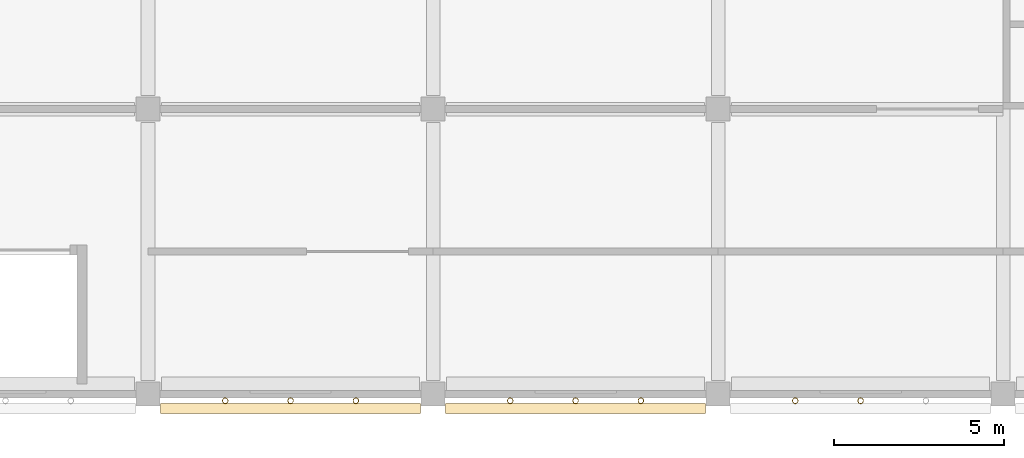
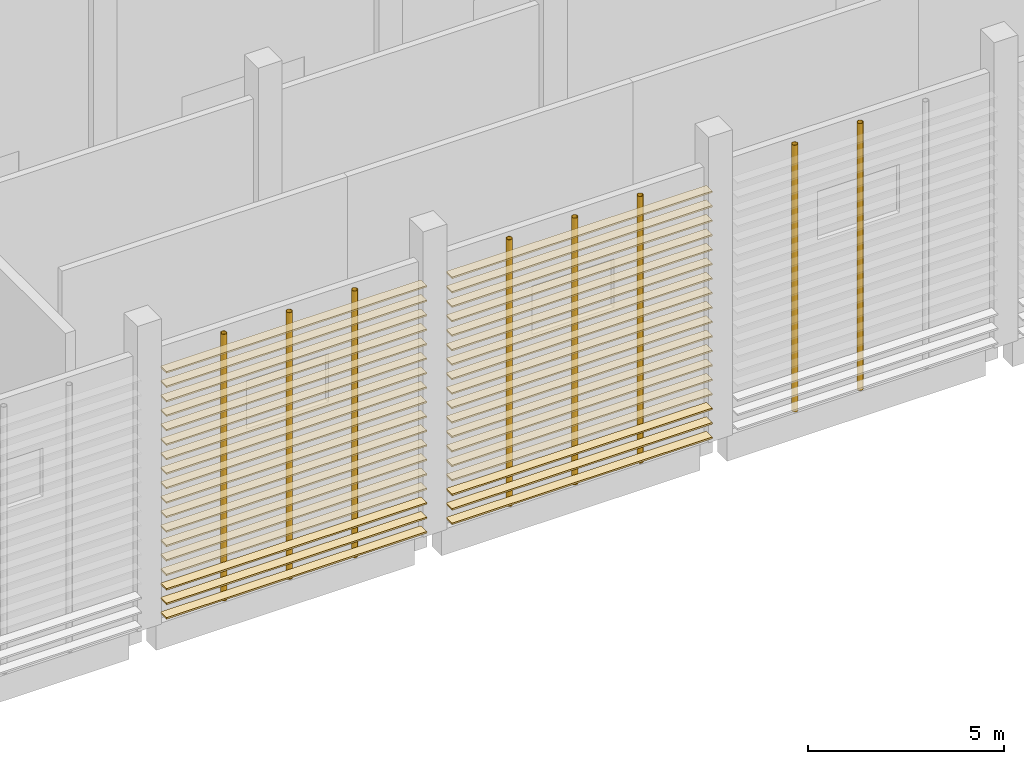
# One storey, part 87 of 114: 36 coverings, 8 shading devices.
"""IFC4 building model written with IfcOpenShell, lengths in metres."""

from ifc_helpers import new_model, si_unit, direction, frame, origin, origin_2d, place, context, subcontext, project, spatial, rectangle, hollow_circle, extrude, material, material_profile, profile_set, type_object, element, save


model = new_model("IFC4")

# Units and contexts
model_context = context("Model", 3, precision=1e-05, world=origin(), true_north=direction((0.0, 1.0)))
body_context = subcontext(model_context, "Body", "Model", "MODEL_VIEW")
ifc_project = project(units=[si_unit("LENGTHUNIT", "METRE"), si_unit("AREAUNIT", "SQUARE_METRE"), si_unit("VOLUMEUNIT", "CUBIC_METRE"), si_unit("PLANEANGLEUNIT", "RADIAN"), si_unit("MASSUNIT", "GRAM", prefix="KILO")], contexts=[model_context])

# Site, building, storey
site_placement = place(None, origin())
site = spatial("IfcSite", under=ifc_project, at=site_placement, CompositionType="ELEMENT")
building_placement = place(site_placement, origin())
building = spatial("IfcBuilding", under=site, at=building_placement, Name="Almond Square Museum", CompositionType="ELEMENT")
storey_placement = place(building_placement, frame((0.0, 0.0, 10.5)))
storey = spatial("IfcBuildingStorey", under=building, at=storey_placement, Name="L02", CompositionType="ELEMENT", Elevation=10.5)

# Shading devices
ifc_material_1 = material(Name="Structural steel S355", Category="steel")
ifc_material_profile_1 = material_profile(ifc_material_1, hollow_circle(Radius=0.084228515625, WallThickness=0.008056640625, at=origin_2d()))
ifc_profile_set_1 = profile_set([ifc_material_profile_1], Name="Structural steel S355")
shading_device_type = type_object("IfcShadingDeviceType", Name="Louvre post CHS 168.3 x 8", PredefinedType="USERDEFINED", material=ifc_profile_set_1)
for number, where, z_axis, x_axis, name in (
    (1, (100.675048828125, -0.194091796875, 0.0), (0.0, 0.0, 1.0), (1.0, 0.0, 0.0), "Louvre screen post"),
    (2, (102.60009765625, -0.194091796875, 0.0), (0.0, 0.0, 1.0), (1.0, 0.0, 0.0), "Louvre screen post"),
    (3, (104.52490234375, -0.194091796875, 0.0), (0.0, 0.0, 1.0), (1.0, 0.0, 0.0), "Louvre screen post"),
    (4, (109.074951171875, -0.194091796875, 0.0), (0.0, 0.0, 1.0), (1.0, 0.0, 0.0), "Louvre screen post"),
    (5, (111.0, -0.194091796875, 0.0), (0.0, 0.0, 1.0), (1.0, 0.0, 0.0), "Louvre screen post"),
    (6, (112.925048828125, -0.194091796875, 0.0), (0.0, 0.0, 1.0), (1.0, 0.0, 0.0), "Louvre screen post"),
    (7, (117.47509765625, -0.194091796875, 0.0), (0.0, 0.0, 1.0), (1.0, 0.0, 0.0), "Louvre screen post"),
    (8, (119.39990234375, -0.194091796875, 0.0), (0.0, 0.0, 1.0), (1.0, 0.0, 0.0), "Louvre screen post"),
):
    element("IfcShadingDevice", number, at=place(storey_placement, frame(where, z_axis=z_axis, x_axis=x_axis)), inside=storey, type_object=shading_device_type, Name=name, ObjectType="POST", PredefinedType="USERDEFINED", context=body_context, shape_type="SweptSolid", body=[
        extrude(hollow_circle(Radius=0.084228515625, WallThickness=0.008056640625, at=origin_2d()), origin(), (0.0, 0.0, 1.0), 8.300048828125),
    ])

# Coverings
ifc_material_2 = material(Name="Cedar timber louvre board", Category="wood")
ifc_material_profile_2 = material_profile(ifc_material_2, rectangle(XDim=0.300048828125, YDim=0.050048828125, at=origin_2d()))
ifc_profile_set_2 = profile_set([ifc_material_profile_2], Name="Cedar timber louvre board")
covering_type = type_object("IfcCoveringType", Name="Louvre screen board 300 x 50", PredefinedType="CLADDING", material=ifc_profile_set_2)
for number, where, z_axis, x_axis, name in (
    (9, (98.77001953125, -0.42431640625, 0.300048828125), (1.0, 0.0, 0.0), (0.0, 1.0, 0.0), "Louvre screen board"),
    (10, (98.77001953125, -0.42431640625, 0.75), (1.0, 0.0, 0.0), (0.0, 1.0, 0.0), "Louvre screen board"),
    (11, (98.77001953125, -0.42431640625, 1.199951171875), (1.0, 0.0, 0.0), (0.0, 1.0, 0.0), "Louvre screen board"),
    (12, (98.77001953125, -0.42431640625, 1.64990234375), (1.0, 0.0, 0.0), (0.0, 1.0, 0.0), "Louvre screen board"),
    (13, (98.77001953125, -0.42431640625, 2.10009765625), (1.0, 0.0, 0.0), (0.0, 1.0, 0.0), "Louvre screen board"),
    (14, (98.77001953125, -0.42431640625, 2.550048828125), (1.0, 0.0, 0.0), (0.0, 1.0, 0.0), "Louvre screen board"),
    (15, (98.77001953125, -0.42431640625, 3.0), (1.0, 0.0, 0.0), (0.0, 1.0, 0.0), "Louvre screen board"),
    (16, (98.77001953125, -0.42431640625, 3.449951171875), (1.0, 0.0, 0.0), (0.0, 1.0, 0.0), "Louvre screen board"),
    (17, (98.77001953125, -0.42431640625, 3.89990234375), (1.0, 0.0, 0.0), (0.0, 1.0, 0.0), "Louvre screen board"),
    (18, (98.77001953125, -0.42431640625, 4.35009765625), (1.0, 0.0, 0.0), (0.0, 1.0, 0.0), "Louvre screen board"),
    (19, (98.77001953125, -0.42431640625, 4.800048828125), (1.0, 0.0, 0.0), (0.0, 1.0, 0.0), "Louvre screen board"),
    (20, (98.77001953125, -0.42431640625, 5.25), (1.0, 0.0, 0.0), (0.0, 1.0, 0.0), "Louvre screen board"),
    (21, (98.77001953125, -0.42431640625, 5.699951171875), (1.0, 0.0, 0.0), (0.0, 1.0, 0.0), "Louvre screen board"),
    (22, (98.77001953125, -0.42431640625, 6.14990234375), (1.0, 0.0, 0.0), (0.0, 1.0, 0.0), "Louvre screen board"),
    (23, (98.77001953125, -0.42431640625, 6.60009765625), (1.0, 0.0, 0.0), (0.0, 1.0, 0.0), "Louvre screen board"),
    (24, (98.77001953125, -0.42431640625, 7.050048828125), (1.0, 0.0, 0.0), (0.0, 1.0, 0.0), "Louvre screen board"),
    (25, (98.77001953125, -0.42431640625, 7.5), (1.0, 0.0, 0.0), (0.0, 1.0, 0.0), "Louvre screen board"),
    (26, (98.77001953125, -0.42431640625, 7.949951171875), (1.0, 0.0, 0.0), (0.0, 1.0, 0.0), "Louvre screen board"),
):
    element("IfcCovering", number, at=place(storey_placement, frame(where, z_axis=z_axis, x_axis=x_axis)), inside=storey, type_object=covering_type, Name=name, PredefinedType="CLADDING", context=body_context, shape_type="SweptSolid", body=[
        extrude(rectangle(XDim=0.300048828125, YDim=0.050048828125, at=origin_2d()), origin(), (0.0, 0.0, 1.0), 7.659912109375),
    ])
for number, where, z_axis, x_axis, name in (
    (27, (107.169921875, -0.42431640625, 0.300048828125), (1.0, 0.0, 0.0), (0.0, 1.0, 0.0), "Louvre screen board"),
    (28, (107.169921875, -0.42431640625, 0.75), (1.0, 0.0, 0.0), (0.0, 1.0, 0.0), "Louvre screen board"),
    (29, (107.169921875, -0.42431640625, 1.199951171875), (1.0, 0.0, 0.0), (0.0, 1.0, 0.0), "Louvre screen board"),
    (30, (107.169921875, -0.42431640625, 1.64990234375), (1.0, 0.0, 0.0), (0.0, 1.0, 0.0), "Louvre screen board"),
    (31, (107.169921875, -0.42431640625, 2.10009765625), (1.0, 0.0, 0.0), (0.0, 1.0, 0.0), "Louvre screen board"),
    (32, (107.169921875, -0.42431640625, 2.550048828125), (1.0, 0.0, 0.0), (0.0, 1.0, 0.0), "Louvre screen board"),
    (33, (107.169921875, -0.42431640625, 3.0), (1.0, 0.0, 0.0), (0.0, 1.0, 0.0), "Louvre screen board"),
    (34, (107.169921875, -0.42431640625, 3.449951171875), (1.0, 0.0, 0.0), (0.0, 1.0, 0.0), "Louvre screen board"),
    (35, (107.169921875, -0.42431640625, 3.89990234375), (1.0, 0.0, 0.0), (0.0, 1.0, 0.0), "Louvre screen board"),
    (36, (107.169921875, -0.42431640625, 4.35009765625), (1.0, 0.0, 0.0), (0.0, 1.0, 0.0), "Louvre screen board"),
    (37, (107.169921875, -0.42431640625, 4.800048828125), (1.0, 0.0, 0.0), (0.0, 1.0, 0.0), "Louvre screen board"),
    (38, (107.169921875, -0.42431640625, 5.25), (1.0, 0.0, 0.0), (0.0, 1.0, 0.0), "Louvre screen board"),
    (39, (107.169921875, -0.42431640625, 5.699951171875), (1.0, 0.0, 0.0), (0.0, 1.0, 0.0), "Louvre screen board"),
    (40, (107.169921875, -0.42431640625, 6.14990234375), (1.0, 0.0, 0.0), (0.0, 1.0, 0.0), "Louvre screen board"),
    (41, (107.169921875, -0.42431640625, 6.60009765625), (1.0, 0.0, 0.0), (0.0, 1.0, 0.0), "Louvre screen board"),
    (42, (107.169921875, -0.42431640625, 7.050048828125), (1.0, 0.0, 0.0), (0.0, 1.0, 0.0), "Louvre screen board"),
    (43, (107.169921875, -0.42431640625, 7.5), (1.0, 0.0, 0.0), (0.0, 1.0, 0.0), "Louvre screen board"),
    (44, (107.169921875, -0.42431640625, 7.949951171875), (1.0, 0.0, 0.0), (0.0, 1.0, 0.0), "Louvre screen board"),
):
    element("IfcCovering", number, at=place(storey_placement, frame(where, z_axis=z_axis, x_axis=x_axis)), inside=storey, type_object=covering_type, Name=name, PredefinedType="CLADDING", context=body_context, shape_type="SweptSolid", body=[
        extrude(rectangle(XDim=0.300048828125, YDim=0.050048828125, at=origin_2d()), origin(), (0.0, 0.0, 1.0), 7.66015625),
    ])

save(model, "model.ifc")
